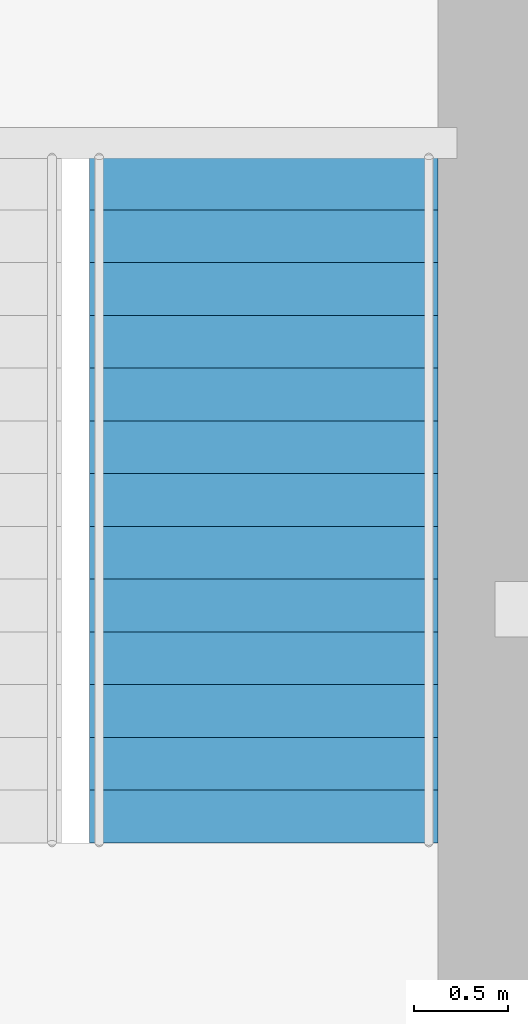
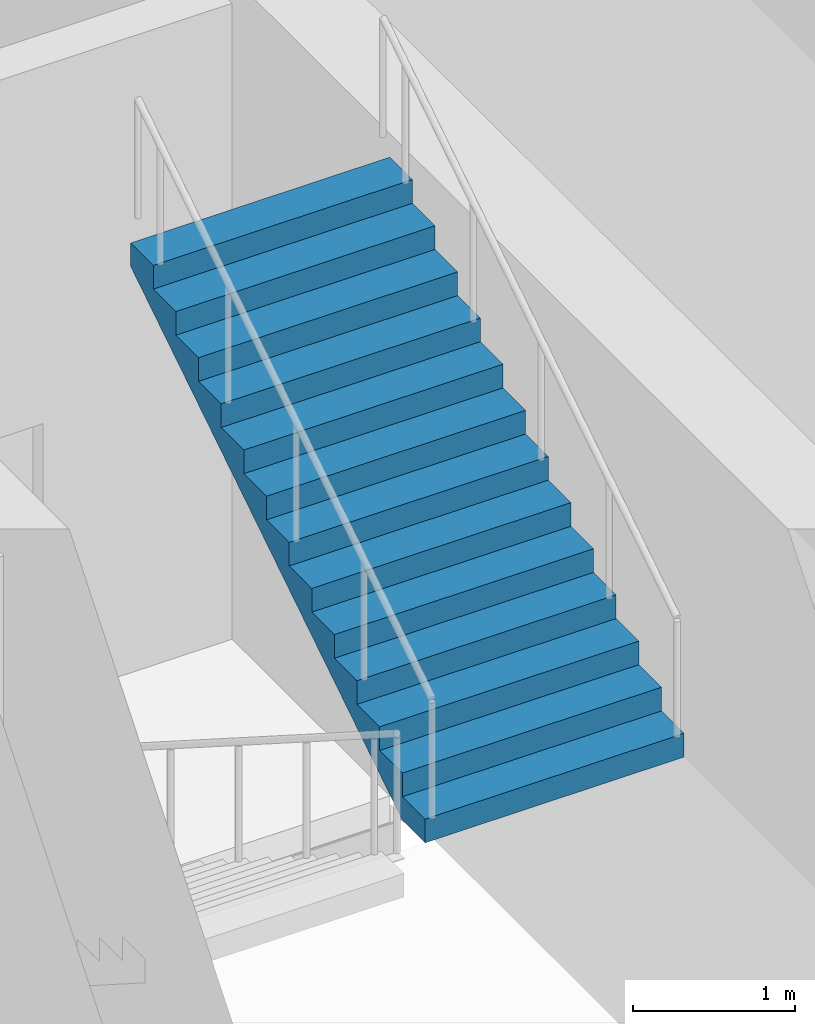
# One storey, part 12 of 14: 1 stair flight, 1 element without a shape of its own.
"""IFC4 building model written with IfcOpenShell, lengths in metres."""

from ifc_helpers import new_model, si_unit, direction, frame, origin, place, context, subcontext, project, spatial, polyline, outline, extrude, material, type_object, element, aggregate, save


model = new_model("IFC4")

# Units and contexts
model_context = context("Model", 3, precision=1e-05, world=origin(), true_north=direction((0.0, 1.0)))
body_context = subcontext(model_context, "Body", "Model", "MODEL_VIEW")
ifc_project = project(units=[si_unit("LENGTHUNIT", "METRE"), si_unit("AREAUNIT", "SQUARE_METRE"), si_unit("VOLUMEUNIT", "CUBIC_METRE"), si_unit("PLANEANGLEUNIT", "RADIAN"), si_unit("MASSUNIT", "GRAM", prefix="KILO")], contexts=[model_context])

# Site, building, storey
site_placement = place(None, origin())
site = spatial("IfcSite", under=ifc_project, at=site_placement, CompositionType="ELEMENT")
building_placement = place(site_placement, origin())
building = spatial("IfcBuilding", under=site, at=building_placement, Name="Corais Broadcast Tower", CompositionType="ELEMENT")
storey_placement = place(building_placement, frame((0.0, 0.0, 18.0)))
storey = spatial("IfcBuildingStorey", under=building, at=storey_placement, Name="L03", CompositionType="ELEMENT", Elevation=18.0)

# Stair, stair flight
ifc_material_1 = material(Name="Concrete C30/37", Category="concrete")
stair_type = type_object("IfcStairType", Name="Half-turn stair 5000", PredefinedType="HALF_TURN_STAIR", material=ifc_material_1)
stair_placement = place(storey_placement, origin())
stair = element("IfcStair", 1, at=stair_placement, inside=storey, type_object=stair_type, Name="Stair B L03", PredefinedType="HALF_TURN_STAIR")
ifc_material_2 = material(Name="Concrete C30/37", Category="concrete")
stair_flight_type = type_object("IfcStairFlightType", Name="Stair flight 5000", PredefinedType="STRAIGHT", material=ifc_material_2)
stair_flight_placement = place(storey_placement, frame((39.27490234375, 25.760009765625, 2.5), z_axis=(0.0, 0.0, 1.0), x_axis=(0.0, 1.0, 0.0)))
stair_flight = element("IfcStairFlight", 2, at=stair_flight_placement, type_object=stair_flight_type, Name="STB flight 2", NumberOfRisers=14, NumberOfTreads=13, PredefinedType="STRAIGHT", RiserHeight=0.178571429, TreadLength=0.28, context=body_context, shape_type="SweptSolid", body=[
    extrude(outline(polyline([(0.0, 0.0), (0.0, 0.178466796875), (0.280029296875, 0.178466796875), (0.280029296875, 0.357177734375), (0.56005859375, 0.357177734375), (0.56005859375, 0.53564453125), (0.840087890625, 0.53564453125), (0.840087890625, 0.71435546875), (1.1201171875, 0.71435546875), (1.1201171875, 0.892822265625), (1.39990234375, 0.892822265625), (1.39990234375, 1.071533203125), (1.679931640625, 1.071533203125), (1.679931640625, 1.25), (1.9599609375, 1.25), (1.9599609375, 1.428466796875), (2.239990234375, 1.428466796875), (2.239990234375, 1.607177734375), (2.52001953125, 1.607177734375), (2.52001953125, 1.78564453125), (2.800048828125, 1.78564453125), (2.800048828125, 1.96435546875), (3.080078125, 1.96435546875), (3.080078125, 2.142822265625), (3.360107421875, 2.142822265625), (3.360107421875, 2.321533203125), (3.639892578125, 2.321533203125), (3.639892578125, 2.5), (3.639892578125, 2.1435546875), (0.27880859375, 0.0), (0.0, 0.0)])), frame((0.0, 0.925048828125, 0.0), z_axis=(0.0, -1.0, 0.0), x_axis=(1.0, 0.0, 0.0)), (0.0, 0.0, 1.0), 1.85009765625),
])
aggregate(stair, [stair_flight])

save(model, "model.ifc")
